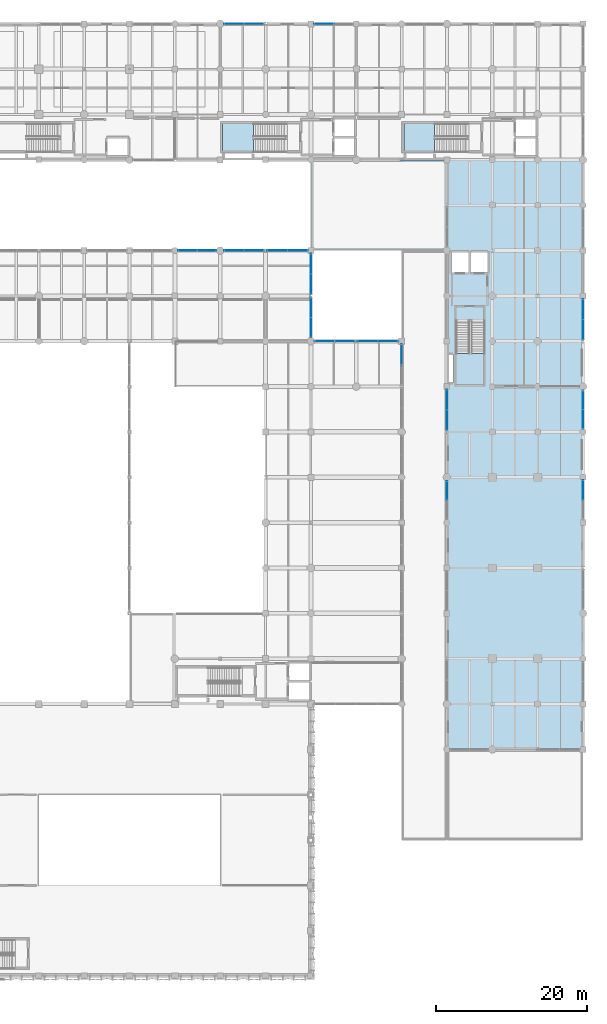
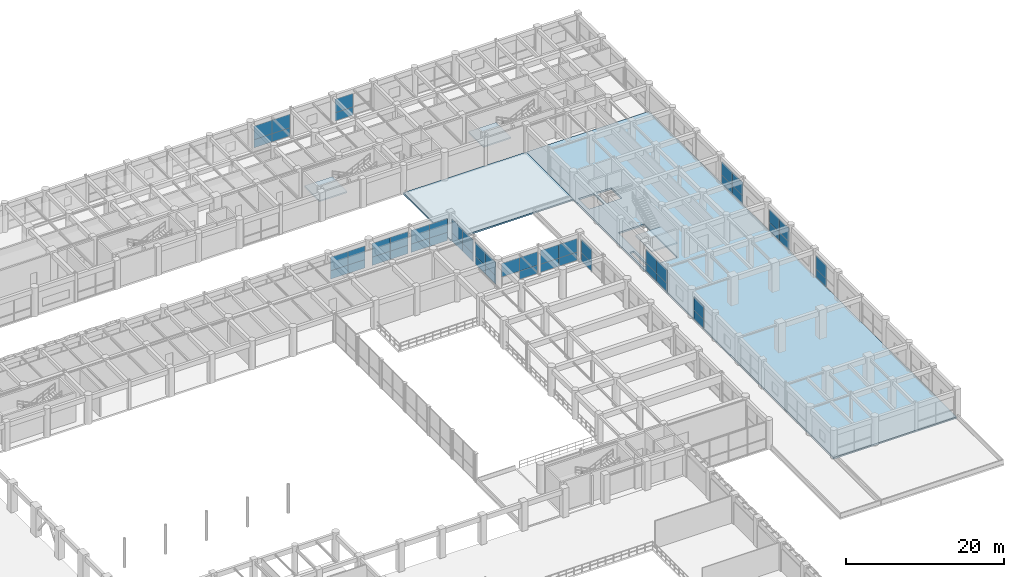
# One storey, part 93 of 133: 51 plates, 5 slabs, 18 elements without a shape of their own.
"""IFC4 building model written with IfcOpenShell, lengths in metres."""

import ifcopenshell
import ifcopenshell.guid

model = None  # the IFC model being written
_history = None  # IfcOwnerHistory: only IFC2X3 demands one
_inside = {}  # id of a spatial element -> (the spatial element, [elements in it])
_under = {}  # id of a project, library or spatial element -> (it, [spatial elements below it])
_declared = {}  # id of a project -> (the project, [libraries it declares])
_typed = {}  # id of a type object -> (the type object, [elements of that type])
_made_of = {}  # id of a material, layer set ... -> (it, [elements and type objects made of it])


def new_model(schema):
    """Start an empty IFC model of exactly this schema.

    Asked for "IFC4X3", IfcOpenShell would pick the latest addendum, in which some entities
    have other attributes; the version numbers below select the first issue.
    IFC2X3 requires an IfcOwnerHistory on every rooted entity: one is made here for all.
    """
    global model, _history
    if schema == "IFC4X3":
        model = ifcopenshell.file(schema_version=(4, 3, 0, 0))
    else:
        model = ifcopenshell.file(schema=schema)
    _inside.clear()
    _under.clear()
    _declared.clear()
    _typed.clear()
    _made_of.clear()
    _history = None
    if model.schema == "IFC2X3":
        org = make("IfcOrganization", Name="unknown")
        user = make(
            "IfcPersonAndOrganization",
            ThePerson=make("IfcPerson", FamilyName="unknown"),
            TheOrganization=org,
        )
        app = make(
            "IfcApplication",
            ApplicationDeveloper=org,
            Version="unknown",
            ApplicationFullName="unknown",
            ApplicationIdentifier="unknown",
        )
        _history = make(
            "IfcOwnerHistory",
            OwningUser=user,
            OwningApplication=app,
            ChangeAction="ADDED",
            CreationDate=0,
        )
    return model


def make(cls, **values):
    """One entity of the class cls with the attributes given. An attribute that is None is left unset."""
    return model.create_entity(
        cls, **{name: value for name, value in values.items() if value is not None}
    )


def rooted(cls, **values):
    """An entity with a GlobalId (a new one), such as an element, a storey or a relation."""
    return make(cls, GlobalId=ifcopenshell.guid.new(), OwnerHistory=_history, **values)


def si_unit(unit_type, name, prefix=None):
    """IfcSIUnit, for example si_unit("LENGTHUNIT", "METRE", prefix="MILLI")."""
    return make("IfcSIUnit", UnitType=unit_type, Prefix=prefix, Name=name)


def assignment(units):
    """IfcUnitAssignment: the units of a project."""
    return None if units is None else make("IfcUnitAssignment", Units=units)


def point(xyz):
    """IfcCartesianPoint."""
    return None if xyz is None else make("IfcCartesianPoint", Coordinates=xyz)


def direction(xyz):
    """IfcDirection."""
    return None if xyz is None else make("IfcDirection", DirectionRatios=xyz)


def frame(location, z_axis=None, x_axis=None):
    """IfcAxis2Placement3D, a coordinate frame: its origin and axes. An axis left out is left unset."""
    return make(
        "IfcAxis2Placement3D",
        Location=point(location),
        Axis=direction(z_axis),
        RefDirection=direction(x_axis),
    )


def frame_2d(location, x_axis=None):
    """IfcAxis2Placement2D, a coordinate frame in the plane: its origin and x axis."""
    return make(
        "IfcAxis2Placement2D", Location=point(location), RefDirection=direction(x_axis)
    )


def origin():
    """The frame at (0, 0, 0) with its axes left unset."""
    return frame((0.0, 0.0, 0.0))


def place(relative_to, where):
    """IfcLocalPlacement: puts the frame where relative to a parent placement (None: the world)."""
    return make(
        "IfcLocalPlacement", PlacementRelTo=relative_to, RelativePlacement=where
    )


def context(
    kind, dimensions, precision=None, world=None, true_north=None, identifier=None
):
    """IfcGeometricRepresentationContext, for example the 3D "Model" context."""
    return make(
        "IfcGeometricRepresentationContext",
        ContextIdentifier=identifier,
        ContextType=kind,
        CoordinateSpaceDimension=dimensions,
        Precision=precision,
        WorldCoordinateSystem=world,
        TrueNorth=true_north,
    )


def subcontext(parent, identifier, kind, view, scale=None):
    """IfcGeometricRepresentationSubContext, for example "Body" below "Model"."""
    return make(
        "IfcGeometricRepresentationSubContext",
        ContextIdentifier=identifier,
        ContextType=kind,
        ParentContext=parent,
        TargetScale=scale,
        TargetView=view,
    )


def project(units=None, contexts=None):
    """IfcProject with its units and contexts."""
    return rooted(
        "IfcProject",
        Name="project",
        RepresentationContexts=contexts,
        UnitsInContext=assignment(units),
    )


def spatial(cls, under=None, at=None, **own):
    """A site, building, storey or space (cls), placed at a placement, below another one or the project."""
    s = rooted(cls, ObjectPlacement=at, **own)
    if under is not None:
        _under.setdefault(under.id(), (under, []))[1].append(s)
    return s


def polyline(points):
    """IfcPolyline through the points."""
    return make("IfcPolyline", Points=[point(p) for p in points])


def profile(cls, at=None, kind="AREA", **sizes):
    """A parametric profile (cls). Its sizes go by their IFC names, for example OverallWidth=200.0."""
    return make(cls, ProfileType=kind, Position=at, **sizes)


def rectangle(**sizes):
    """IfcRectangleProfileDef."""
    return profile("IfcRectangleProfileDef", **sizes)


def outline(outer, holes=None, kind="AREA"):
    """IfcArbitraryClosedProfileDef: a profile drawn as a closed curve; with holes, ...WithVoids."""
    if holes is None:
        return make("IfcArbitraryClosedProfileDef", ProfileType=kind, OuterCurve=outer)
    return make(
        "IfcArbitraryProfileDefWithVoids",
        ProfileType=kind,
        OuterCurve=outer,
        InnerCurves=holes,
    )


def extrude(swept, where, along, depth):
    """IfcExtrudedAreaSolid: the profile swept, set in the frame where, extruded along a direction by depth."""
    return make(
        "IfcExtrudedAreaSolid",
        SweptArea=swept,
        Position=where,
        ExtrudedDirection=direction(along),
        Depth=depth,
    )


def shape(context_of_items, identifier, shape_type, items):
    """IfcShapeRepresentation: the items that make up one representation, for example the "Body"."""
    return make(
        "IfcShapeRepresentation",
        ContextOfItems=context_of_items,
        RepresentationIdentifier=identifier,
        RepresentationType=shape_type,
        Items=items,
    )


def material(Name=None, Category=None):
    """IfcMaterial."""
    return make("IfcMaterial", Name=Name, Category=Category)


def layer(
    of_material, thickness, ventilated=None, Name=None, Category=None, Priority=None
):
    """IfcMaterialLayer: one layer of a wall or slab, of a material (None: an air gap)."""
    return make(
        "IfcMaterialLayer",
        Material=of_material,
        LayerThickness=thickness,
        IsVentilated=ventilated,
        Name=Name,
        Category=Category,
        Priority=Priority,
    )


def layer_set(layers, Name=None):
    """IfcMaterialLayerSet."""
    return make("IfcMaterialLayerSet", MaterialLayers=layers, LayerSetName=Name)


def made_of(thing, what):
    """Note that an element or type object is made of a material, layer set ...; save() writes the relation."""
    if what is not None:
        _made_of.setdefault(what.id(), (what, []))[1].append(thing)
    return thing


def type_object(cls, material=None, **own):
    """A type object (cls), such as IfcWallType, which elements share."""
    return made_of(rooted(cls, **own), material)


def element(
    cls,
    number,
    at=None,
    inside=None,
    cuts=None,
    type_object=None,
    material=None,
    context=None,
    identifier="Body",
    shape_type=None,
    held_by="IfcProductDefinitionShape",
    body=None,
    shapes=None,
    **own,
):
    """One element of the class cls, such as IfcWall. Its Tag is "e" and its number.

    at: its placement. inside: the storey or other place that contains it. cuts: it is an
    opening in that element (IfcRelVoidsElement). A single representation is given by context,
    identifier, shape_type and body (its items); several are given by shapes. held_by: the class
    of the entity that holds the representations. save() writes the other relations.
    """
    e = rooted(cls, Tag="e%d" % number, ObjectPlacement=at, **own)
    if body is not None:
        shapes = [shape(context, identifier, shape_type, body)]
    if shapes is not None:
        e.Representation = make(held_by, Representations=shapes)
    if inside is not None:
        _inside.setdefault(inside.id(), (inside, []))[1].append(e)
    if cuts is not None:
        rooted(
            "IfcRelVoidsElement", RelatingBuildingElement=cuts, RelatedOpeningElement=e
        )
    if type_object is not None:
        _typed.setdefault(type_object.id(), (type_object, []))[1].append(e)
    return made_of(e, material)


def aggregate(whole, parts):
    """IfcRelAggregates: a whole, such as a stair, and the parts it consists of."""
    return rooted("IfcRelAggregates", RelatingObject=whole, RelatedObjects=parts)


def save(model, path):
    """Write the relations noted so far, then the file.

    IfcRelAggregates (storeys below a building ...), IfcRelContainedInSpatialStructure (elements
    in a storey), IfcRelDefinesByType, IfcRelAssociatesMaterial and IfcRelDeclares: one each for
    every whole, place, type object, material and project.
    """
    for whole, parts in _under.values():
        aggregate(whole, parts)
    for where, things in _inside.values():
        rooted(
            "IfcRelContainedInSpatialStructure",
            RelatedElements=things,
            RelatingStructure=where,
        )
    for kind, things in _typed.values():
        rooted("IfcRelDefinesByType", RelatedObjects=things, RelatingType=kind)
    for what, things in _made_of.values():
        rooted("IfcRelAssociatesMaterial", RelatedObjects=things, RelatingMaterial=what)
    for by, libraries in _declared.values():
        rooted("IfcRelDeclares", RelatingContext=by, RelatedDefinitions=libraries)
    model.write(path)


model = new_model("IFC4")

# Units and contexts
model_context = context("Model", 3, precision=1e-05, world=origin(), true_north=direction((0.0, 1.0)))
body_context = subcontext(model_context, "Body", "Model", "MODEL_VIEW")
ifc_project = project(units=[si_unit("LENGTHUNIT", "METRE"), si_unit("AREAUNIT", "SQUARE_METRE"), si_unit("VOLUMEUNIT", "CUBIC_METRE"), si_unit("PLANEANGLEUNIT", "RADIAN"), si_unit("MASSUNIT", "GRAM", prefix="KILO"), si_unit("THERMODYNAMICTEMPERATUREUNIT", "KELVIN"), si_unit("POWERUNIT", "WATT")], contexts=[model_context])

# Site, building, storey
site_placement = place(None, origin())
site = spatial("IfcSite", under=ifc_project, at=site_placement, CompositionType="ELEMENT")
building_placement = place(site_placement, origin())
building = spatial("IfcBuilding", under=site, at=building_placement, Name="Phaisarnlok Congress Hotel", CompositionType="ELEMENT")
storey_placement = place(building_placement, frame((0.0, 0.0, 6.0)))
storey = spatial("IfcBuildingStorey", under=building, at=storey_placement, Name="L01", CompositionType="ELEMENT", Elevation=6.0)

# Curtain wall, plates
ifc_material_1 = material(Name="Thermally Broken Unitised Aluminium & Low-E Glazing", Category="aluminium")
curtain_wall_type_1 = type_object("IfcCurtainWallType", Name="CW-UNIT-14", PredefinedType="NOTDEFINED", material=ifc_material_1)
curtain_wall_1_placement = place(storey_placement, origin())
curtain_wall_1 = element("IfcCurtainWall", 1, at=curtain_wall_1_placement, inside=storey, type_object=curtain_wall_type_1, Name="Unitised curtain wall CW-14 (L01)", PredefinedType="NOTDEFINED")
ifc_material_2 = material(Name="Triple Acoustic Solar-Control Glazing", Category="glass")
ifc_layer_1 = layer(ifc_material_2, 0.035888671875, Name="Triple Acoustic Solar-Control Glazing")
ifc_layer_set_1 = layer_set([ifc_layer_1], Name="Triple Acoustic Solar-Control Glazing")
plate_type = type_object("IfcPlateType", Name="CWP-GLZ-36", PredefinedType="CURTAIN_PANEL", material=ifc_layer_set_1)
plate_1_placement = place(storey_placement, frame((156.0, 80.914794921875, 0.0400390625), z_axis=(0.0, 0.0, 1.0), x_axis=(0.0, 1.0, 0.0)))
plate_1 = element("IfcPlate", 2, at=plate_1_placement, type_object=plate_type, Name="Glazed curtain panel CWP-02", PredefinedType="CURTAIN_PANEL", context=body_context, shape_type="SweptSolid", body=[
    extrude(rectangle(XDim=2.66015625, YDim=0.028076171875, at=frame_2d((1.330078125, 0.0))), origin(), (0.0, 0.0, 1.0), 1.278564453125),
])
plate_2_placement = place(storey_placement, frame((156.0, 80.914794921875, 1.318603515625), z_axis=(0.0, 0.0, 1.0), x_axis=(0.0, 1.0, 0.0)))
plate_2 = element("IfcPlate", 3, at=plate_2_placement, type_object=plate_type, Name="Glazed curtain panel CWP-02", PredefinedType="CURTAIN_PANEL", context=body_context, shape_type="SweptSolid", body=[
    extrude(rectangle(XDim=2.66015625, YDim=0.028076171875, at=frame_2d((1.330078125, 0.0))), origin(), (0.0, 0.0, 1.0), 2.111328125),
])
aggregate(curtain_wall_1, [plate_1, plate_2])

curtain_wall_2_placement = place(storey_placement, origin())
curtain_wall_2 = element("IfcCurtainWall", 4, at=curtain_wall_2_placement, inside=storey, type_object=curtain_wall_type_1, Name="Unitised curtain wall CW-14 (L01)", PredefinedType="NOTDEFINED")
plate_3_placement = place(storey_placement, frame((155.574951171875, 84.0, 0.0400390625), z_axis=(0.0, 0.0, 1.0), x_axis=(-1.0, 0.0, 0.0)))
plate_3 = element("IfcPlate", 5, at=plate_3_placement, type_object=plate_type, Name="Glazed curtain panel CWP-02", PredefinedType="CURTAIN_PANEL", context=body_context, shape_type="SweptSolid", body=[
    extrude(rectangle(XDim=2.65966796875, YDim=0.028076171875, at=frame_2d((1.329833984375, 0.0))), origin(), (0.0, 0.0, 1.0), 1.278564453125),
])
plate_4_placement = place(storey_placement, frame((155.574951171875, 84.0, 1.318603515625), z_axis=(0.0, 0.0, 1.0), x_axis=(-1.0, 0.0, 0.0)))
plate_4 = element("IfcPlate", 6, at=plate_4_placement, type_object=plate_type, Name="Glazed curtain panel CWP-02", PredefinedType="CURTAIN_PANEL", context=body_context, shape_type="SweptSolid", body=[
    extrude(rectangle(XDim=2.65966796875, YDim=0.028076171875, at=frame_2d((1.329833984375, 0.0))), origin(), (0.0, 0.0, 1.0), 2.111328125),
])
plate_5_placement = place(storey_placement, frame((152.88525390625, 84.0, 0.0400390625), z_axis=(0.0, 0.0, 1.0), x_axis=(-1.0, 0.0, 0.0)))
plate_5 = element("IfcPlate", 7, at=plate_5_placement, type_object=plate_type, Name="Glazed curtain panel CWP-02", PredefinedType="CURTAIN_PANEL", context=body_context, shape_type="SweptSolid", body=[
    extrude(rectangle(XDim=2.65966796875, YDim=0.028076171875, at=frame_2d((1.329833984375, 0.0))), origin(), (0.0, 0.0, 1.0), 1.278564453125),
])
plate_6_placement = place(storey_placement, frame((152.88525390625, 84.0, 1.318603515625), z_axis=(0.0, 0.0, 1.0), x_axis=(-1.0, 0.0, 0.0)))
plate_6 = element("IfcPlate", 8, at=plate_6_placement, type_object=plate_type, Name="Glazed curtain panel CWP-02", PredefinedType="CURTAIN_PANEL", context=body_context, shape_type="SweptSolid", body=[
    extrude(rectangle(XDim=2.65966796875, YDim=0.028076171875, at=frame_2d((1.329833984375, 0.0))), origin(), (0.0, 0.0, 1.0), 2.111328125),
])
aggregate(curtain_wall_2, [plate_3, plate_4, plate_5, plate_6])

curtain_wall_type_2 = type_object("IfcCurtainWallType", Name="CW-UNIT-13", PredefinedType="NOTDEFINED", material=ifc_material_1)
curtain_wall_3_placement = place(storey_placement, origin())
curtain_wall_3 = element("IfcCurtainWall", 9, at=curtain_wall_3_placement, inside=storey, type_object=curtain_wall_type_2, Name="Unitised curtain wall CW-13 (L01)", PredefinedType="NOTDEFINED")
plate_7_placement = place(storey_placement, frame((149.7744140625, 84.0, 0.0400390625), z_axis=(0.0, 0.0, 1.0), x_axis=(-1.0, 0.0, 0.0)))
plate_7 = element("IfcPlate", 10, at=plate_7_placement, type_object=plate_type, Name="Glazed curtain panel CWP-02", PredefinedType="CURTAIN_PANEL", context=body_context, shape_type="SweptSolid", body=[
    extrude(rectangle(XDim=2.609619140625, YDim=0.028076171875, at=frame_2d((1.3046875, 0.0))), origin(), (0.0, 0.0, 1.0), 1.278564453125),
])
plate_8_placement = place(storey_placement, frame((149.7744140625, 84.0, 1.318603515625), z_axis=(0.0, 0.0, 1.0), x_axis=(-1.0, 0.0, 0.0)))
plate_8 = element("IfcPlate", 11, at=plate_8_placement, type_object=plate_type, Name="Glazed curtain panel CWP-02", PredefinedType="CURTAIN_PANEL", context=body_context, shape_type="SweptSolid", body=[
    extrude(rectangle(XDim=2.609619140625, YDim=0.028076171875, at=frame_2d((1.3046875, 0.0))), origin(), (0.0, 0.0, 1.0), 2.111328125),
])
plate_9_placement = place(storey_placement, frame((147.134765625, 84.0, 1.318603515625), z_axis=(0.0, 0.0, 1.0), x_axis=(-1.0, 0.0, 0.0)))
plate_9 = element("IfcPlate", 12, at=plate_9_placement, type_object=plate_type, Name="Glazed curtain panel CWP-02", PredefinedType="CURTAIN_PANEL", context=body_context, shape_type="SweptSolid", body=[
    extrude(rectangle(XDim=2.60986328125, YDim=0.028076171875, at=frame_2d((1.304931640625, 0.0))), origin(), (0.0, 0.0, 1.0), 2.111328125),
])
aggregate(curtain_wall_3, [plate_7, plate_8, plate_9])

curtain_wall_type_3 = type_object("IfcCurtainWallType", Name="CW-UNIT-16", PredefinedType="NOTDEFINED", material=ifc_material_1)
curtain_wall_4_placement = place(storey_placement, origin())
curtain_wall_4 = element("IfcCurtainWall", 13, at=curtain_wall_4_placement, inside=storey, type_object=curtain_wall_type_3, Name="Unitised curtain wall CW-16 (L01)", PredefinedType="NOTDEFINED")
plate_10_placement = place(storey_placement, frame((144.0, 84.52490234375, 0.0400390625), z_axis=(0.0, 0.0, 1.0), x_axis=(0.0, 1.0, 0.0)))
plate_10 = element("IfcPlate", 14, at=plate_10_placement, type_object=plate_type, Name="Glazed curtain panel CWP-02", PredefinedType="CURTAIN_PANEL", context=body_context, shape_type="SweptSolid", body=[
    extrude(rectangle(XDim=2.6103515625, YDim=0.028076171875, at=frame_2d((1.30517578125, 0.0))), origin(), (0.0, 0.0, 1.0), 1.293701171875),
])
plate_11_placement = place(storey_placement, frame((144.0, 84.52490234375, 1.333740234375), z_axis=(0.0, 0.0, 1.0), x_axis=(0.0, 1.0, 0.0)))
plate_11 = element("IfcPlate", 15, at=plate_11_placement, type_object=plate_type, Name="Glazed curtain panel CWP-02", PredefinedType="CURTAIN_PANEL", context=body_context, shape_type="SweptSolid", body=[
    extrude(rectangle(XDim=2.6103515625, YDim=0.028076171875, at=frame_2d((1.30517578125, 0.0))), origin(), (0.0, 0.0, 1.0), 2.13623046875),
])
plate_12_placement = place(storey_placement, frame((144.0, 87.165283203125, 0.0400390625), z_axis=(0.0, 0.0, 1.0), x_axis=(0.0, 1.0, 0.0)))
plate_12 = element("IfcPlate", 16, at=plate_12_placement, type_object=plate_type, Name="Glazed curtain panel CWP-02", PredefinedType="CURTAIN_PANEL", context=body_context, shape_type="SweptSolid", body=[
    extrude(rectangle(XDim=2.610107421875, YDim=0.028076171875, at=frame_2d((1.30517578125, 0.0))), origin(), (0.0, 0.0, 1.0), 1.293701171875),
])
plate_13_placement = place(storey_placement, frame((144.0, 87.165283203125, 1.333740234375), z_axis=(0.0, 0.0, 1.0), x_axis=(0.0, 1.0, 0.0)))
plate_13 = element("IfcPlate", 17, at=plate_13_placement, type_object=plate_type, Name="Glazed curtain panel CWP-02", PredefinedType="CURTAIN_PANEL", context=body_context, shape_type="SweptSolid", body=[
    extrude(rectangle(XDim=2.610107421875, YDim=0.028076171875, at=frame_2d((1.30517578125, 0.0))), origin(), (0.0, 0.0, 1.0), 2.13623046875),
])
aggregate(curtain_wall_4, [plate_10, plate_11, plate_12, plate_13])

curtain_wall_type_4 = type_object("IfcCurtainWallType", Name="CW-UNIT-17", PredefinedType="NOTDEFINED", material=ifc_material_1)
curtain_wall_5_placement = place(storey_placement, origin())
curtain_wall_5 = element("IfcCurtainWall", 18, at=curtain_wall_5_placement, inside=storey, type_object=curtain_wall_type_4, Name="Unitised curtain wall CW-17 (L01)", PredefinedType="NOTDEFINED")
plate_14_placement = place(storey_placement, frame((144.0, 90.224609375, 0.0400390625), z_axis=(0.0, 0.0, 1.0), x_axis=(0.0, 1.0, 0.0)))
plate_14 = element("IfcPlate", 19, at=plate_14_placement, type_object=plate_type, Name="Glazed curtain panel CWP-02", PredefinedType="CURTAIN_PANEL", context=body_context, shape_type="SweptSolid", body=[
    extrude(rectangle(XDim=2.66015625, YDim=0.028076171875, at=frame_2d((1.330078125, 0.0))), origin(), (0.0, 0.0, 1.0), 1.293701171875),
])
plate_15_placement = place(storey_placement, frame((144.0, 90.224609375, 1.333740234375), z_axis=(0.0, 0.0, 1.0), x_axis=(0.0, 1.0, 0.0)))
plate_15 = element("IfcPlate", 20, at=plate_15_placement, type_object=plate_type, Name="Glazed curtain panel CWP-02", PredefinedType="CURTAIN_PANEL", context=body_context, shape_type="SweptSolid", body=[
    extrude(rectangle(XDim=2.66015625, YDim=0.028076171875, at=frame_2d((1.330078125, 0.0))), origin(), (0.0, 0.0, 1.0), 2.13623046875),
])
plate_16_placement = place(storey_placement, frame((144.0, 92.914794921875, 0.0400390625), z_axis=(0.0, 0.0, 1.0), x_axis=(0.0, 1.0, 0.0)))
plate_16 = element("IfcPlate", 21, at=plate_16_placement, type_object=plate_type, Name="Glazed curtain panel CWP-02", PredefinedType="CURTAIN_PANEL", context=body_context, shape_type="SweptSolid", body=[
    extrude(rectangle(XDim=2.66015625, YDim=0.028076171875, at=frame_2d((1.330078125, 0.0))), origin(), (0.0, 0.0, 1.0), 1.293701171875),
])
plate_17_placement = place(storey_placement, frame((144.0, 92.914794921875, 1.333740234375), z_axis=(0.0, 0.0, 1.0), x_axis=(0.0, 1.0, 0.0)))
plate_17 = element("IfcPlate", 22, at=plate_17_placement, type_object=plate_type, Name="Glazed curtain panel CWP-02", PredefinedType="CURTAIN_PANEL", context=body_context, shape_type="SweptSolid", body=[
    extrude(rectangle(XDim=2.66015625, YDim=0.028076171875, at=frame_2d((1.330078125, 0.0))), origin(), (0.0, 0.0, 1.0), 2.13623046875),
])
aggregate(curtain_wall_5, [plate_14, plate_15, plate_16, plate_17])

curtain_wall_6_placement = place(storey_placement, origin())
curtain_wall_6 = element("IfcCurtainWall", 23, at=curtain_wall_6_placement, inside=storey, type_object=curtain_wall_type_4, Name="Unitised curtain wall CW-17 (L01)", PredefinedType="NOTDEFINED")
plate_18_placement = place(storey_placement, frame((143.574951171875, 96.0, 0.0400390625), z_axis=(0.0, 0.0, 1.0), x_axis=(-1.0, 0.0, 0.0)))
plate_18 = element("IfcPlate", 24, at=plate_18_placement, type_object=plate_type, Name="Glazed curtain panel CWP-02", PredefinedType="CURTAIN_PANEL", context=body_context, shape_type="SweptSolid", body=[
    extrude(rectangle(XDim=2.65966796875, YDim=0.028076171875, at=frame_2d((1.329833984375, 0.0))), origin(), (0.0, 0.0, 1.0), 1.293701171875),
])
plate_19_placement = place(storey_placement, frame((143.574951171875, 96.0, 1.333740234375), z_axis=(0.0, 0.0, 1.0), x_axis=(-1.0, 0.0, 0.0)))
plate_19 = element("IfcPlate", 25, at=plate_19_placement, type_object=plate_type, Name="Glazed curtain panel CWP-02", PredefinedType="CURTAIN_PANEL", context=body_context, shape_type="SweptSolid", body=[
    extrude(rectangle(XDim=2.65966796875, YDim=0.028076171875, at=frame_2d((1.329833984375, 0.0))), origin(), (0.0, 0.0, 1.0), 2.13623046875),
])
plate_20_placement = place(storey_placement, frame((140.88525390625, 96.0, 0.0400390625), z_axis=(0.0, 0.0, 1.0), x_axis=(-1.0, 0.0, 0.0)))
plate_20 = element("IfcPlate", 26, at=plate_20_placement, type_object=plate_type, Name="Glazed curtain panel CWP-02", PredefinedType="CURTAIN_PANEL", context=body_context, shape_type="SweptSolid", body=[
    extrude(rectangle(XDim=2.65966796875, YDim=0.028076171875, at=frame_2d((1.329833984375, 0.0))), origin(), (0.0, 0.0, 1.0), 1.293701171875),
])
plate_21_placement = place(storey_placement, frame((140.88525390625, 96.0, 1.333740234375), z_axis=(0.0, 0.0, 1.0), x_axis=(-1.0, 0.0, 0.0)))
plate_21 = element("IfcPlate", 27, at=plate_21_placement, type_object=plate_type, Name="Glazed curtain panel CWP-02", PredefinedType="CURTAIN_PANEL", context=body_context, shape_type="SweptSolid", body=[
    extrude(rectangle(XDim=2.65966796875, YDim=0.028076171875, at=frame_2d((1.329833984375, 0.0))), origin(), (0.0, 0.0, 1.0), 2.13623046875),
])
aggregate(curtain_wall_6, [plate_18, plate_19, plate_20, plate_21])

curtain_wall_7_placement = place(storey_placement, origin())
curtain_wall_7 = element("IfcCurtainWall", 28, at=curtain_wall_7_placement, inside=storey, type_object=curtain_wall_type_3, Name="Unitised curtain wall CW-16 (L01)", PredefinedType="NOTDEFINED")
plate_22_placement = place(storey_placement, frame((137.7744140625, 96.0, 0.0400390625), z_axis=(0.0, 0.0, 1.0), x_axis=(-1.0, 0.0, 0.0)))
plate_22 = element("IfcPlate", 29, at=plate_22_placement, type_object=plate_type, Name="Glazed curtain panel CWP-02", PredefinedType="CURTAIN_PANEL", context=body_context, shape_type="SweptSolid", body=[
    extrude(rectangle(XDim=2.609619140625, YDim=0.028076171875, at=frame_2d((1.3046875, 0.0))), origin(), (0.0, 0.0, 1.0), 1.293701171875),
])
plate_23_placement = place(storey_placement, frame((137.7744140625, 96.0, 1.333740234375), z_axis=(0.0, 0.0, 1.0), x_axis=(-1.0, 0.0, 0.0)))
plate_23 = element("IfcPlate", 30, at=plate_23_placement, type_object=plate_type, Name="Glazed curtain panel CWP-02", PredefinedType="CURTAIN_PANEL", context=body_context, shape_type="SweptSolid", body=[
    extrude(rectangle(XDim=2.609619140625, YDim=0.028076171875, at=frame_2d((1.3046875, 0.0))), origin(), (0.0, 0.0, 1.0), 2.13623046875),
])
plate_24_placement = place(storey_placement, frame((135.134765625, 96.0, 0.0400390625), z_axis=(0.0, 0.0, 1.0), x_axis=(-1.0, 0.0, 0.0)))
plate_24 = element("IfcPlate", 31, at=plate_24_placement, type_object=plate_type, Name="Glazed curtain panel CWP-02", PredefinedType="CURTAIN_PANEL", context=body_context, shape_type="SweptSolid", body=[
    extrude(rectangle(XDim=2.60986328125, YDim=0.028076171875, at=frame_2d((1.304931640625, 0.0))), origin(), (0.0, 0.0, 1.0), 1.293701171875),
])
plate_25_placement = place(storey_placement, frame((135.134765625, 96.0, 1.333740234375), z_axis=(0.0, 0.0, 1.0), x_axis=(-1.0, 0.0, 0.0)))
plate_25 = element("IfcPlate", 32, at=plate_25_placement, type_object=plate_type, Name="Glazed curtain panel CWP-02", PredefinedType="CURTAIN_PANEL", context=body_context, shape_type="SweptSolid", body=[
    extrude(rectangle(XDim=2.60986328125, YDim=0.028076171875, at=frame_2d((1.304931640625, 0.0))), origin(), (0.0, 0.0, 1.0), 2.13623046875),
])
aggregate(curtain_wall_7, [plate_22, plate_23, plate_24, plate_25])

curtain_wall_type_5 = type_object("IfcCurtainWallType", Name="CW-UNIT-18", PredefinedType="NOTDEFINED", material=ifc_material_1)
curtain_wall_8_placement = place(storey_placement, origin())
curtain_wall_8 = element("IfcCurtainWall", 33, at=curtain_wall_8_placement, inside=storey, type_object=curtain_wall_type_5, Name="Unitised curtain wall CW-18 (L01)", PredefinedType="NOTDEFINED")
plate_26_placement = place(storey_placement, frame((131.47509765625, 96.0, 0.0400390625), z_axis=(0.0, 0.0, 1.0), x_axis=(-1.0, 0.0, 0.0)))
plate_26 = element("IfcPlate", 34, at=plate_26_placement, type_object=plate_type, Name="Glazed curtain panel CWP-02", PredefinedType="CURTAIN_PANEL", context=body_context, shape_type="SweptSolid", body=[
    extrude(rectangle(XDim=2.49755859375, YDim=0.028076171875, at=frame_2d((1.248779296875, 0.0))), origin(), (0.0, 0.0, 1.0), 1.293701171875),
])
plate_27_placement = place(storey_placement, frame((131.47509765625, 96.0, 1.333740234375), z_axis=(0.0, 0.0, 1.0), x_axis=(-1.0, 0.0, 0.0)))
plate_27 = element("IfcPlate", 35, at=plate_27_placement, type_object=plate_type, Name="Glazed curtain panel CWP-02", PredefinedType="CURTAIN_PANEL", context=body_context, shape_type="SweptSolid", body=[
    extrude(rectangle(XDim=2.49755859375, YDim=0.028076171875, at=frame_2d((1.248779296875, 0.0))), origin(), (0.0, 0.0, 1.0), 2.13623046875),
])
plate_28_placement = place(storey_placement, frame((128.947509765625, 96.0, 0.0400390625), z_axis=(0.0, 0.0, 1.0), x_axis=(-1.0, 0.0, 0.0)))
plate_28 = element("IfcPlate", 36, at=plate_28_placement, type_object=plate_type, Name="Glazed curtain panel CWP-02", PredefinedType="CURTAIN_PANEL", context=body_context, shape_type="SweptSolid", body=[
    extrude(rectangle(XDim=2.49755859375, YDim=0.028076171875, at=frame_2d((1.248779296875, 0.0))), origin(), (0.0, 0.0, 1.0), 1.293701171875),
])
plate_29_placement = place(storey_placement, frame((128.947509765625, 96.0, 1.333740234375), z_axis=(0.0, 0.0, 1.0), x_axis=(-1.0, 0.0, 0.0)))
plate_29 = element("IfcPlate", 37, at=plate_29_placement, type_object=plate_type, Name="Glazed curtain panel CWP-02", PredefinedType="CURTAIN_PANEL", context=body_context, shape_type="SweptSolid", body=[
    extrude(rectangle(XDim=2.49755859375, YDim=0.028076171875, at=frame_2d((1.248779296875, 0.0))), origin(), (0.0, 0.0, 1.0), 2.13623046875),
])
aggregate(curtain_wall_8, [plate_26, plate_27, plate_28, plate_29])

curtain_wall_9_placement = place(storey_placement, origin())
curtain_wall_9 = element("IfcCurtainWall", 38, at=curtain_wall_9_placement, inside=storey, type_object=curtain_wall_type_1, Name="Unitised curtain wall CW-14 (L01)", PredefinedType="NOTDEFINED")
plate_30_placement = place(storey_placement, frame((162.0, 77.574951171875, 0.0400390625), z_axis=(0.0, 0.0, 1.0), x_axis=(0.0, -1.0, 0.0)))
plate_30 = element("IfcPlate", 39, at=plate_30_placement, type_object=plate_type, Name="Glazed curtain panel CWP-02", PredefinedType="CURTAIN_PANEL", context=body_context, shape_type="SweptSolid", body=[
    extrude(rectangle(XDim=2.66015625, YDim=0.028076171875, at=frame_2d((1.330078125, 0.0))), origin(), (0.0, 0.0, 1.0), 1.278564453125),
])
plate_31_placement = place(storey_placement, frame((162.0, 77.574951171875, 1.318603515625), z_axis=(0.0, 0.0, 1.0), x_axis=(0.0, -1.0, 0.0)))
plate_31 = element("IfcPlate", 40, at=plate_31_placement, type_object=plate_type, Name="Glazed curtain panel CWP-02", PredefinedType="CURTAIN_PANEL", context=body_context, shape_type="SweptSolid", body=[
    extrude(rectangle(XDim=2.66015625, YDim=0.028076171875, at=frame_2d((1.330078125, 0.0))), origin(), (0.0, 0.0, 1.0), 2.111328125),
])
plate_32_placement = place(storey_placement, frame((162.0, 74.884765625, 0.0400390625), z_axis=(0.0, 0.0, 1.0), x_axis=(0.0, -1.0, 0.0)))
plate_32 = element("IfcPlate", 41, at=plate_32_placement, type_object=plate_type, Name="Glazed curtain panel CWP-02", PredefinedType="CURTAIN_PANEL", context=body_context, shape_type="SweptSolid", body=[
    extrude(rectangle(XDim=2.66015625, YDim=0.028076171875, at=frame_2d((1.330078125, 0.0))), origin(), (0.0, 0.0, 1.0), 1.278564453125),
])
plate_33_placement = place(storey_placement, frame((162.0, 74.884765625, 1.318603515625), z_axis=(0.0, 0.0, 1.0), x_axis=(0.0, -1.0, 0.0)))
plate_33 = element("IfcPlate", 42, at=plate_33_placement, type_object=plate_type, Name="Glazed curtain panel CWP-02", PredefinedType="CURTAIN_PANEL", context=body_context, shape_type="SweptSolid", body=[
    extrude(rectangle(XDim=2.66015625, YDim=0.028076171875, at=frame_2d((1.330078125, 0.0))), origin(), (0.0, 0.0, 1.0), 2.111328125),
])
aggregate(curtain_wall_9, [plate_30, plate_31, plate_32, plate_33])

curtain_wall_type_6 = type_object("IfcCurtainWallType", Name="CW-UNIT-12", PredefinedType="NOTDEFINED", material=ifc_material_1)
curtain_wall_10_placement = place(storey_placement, origin())
curtain_wall_10 = element("IfcCurtainWall", 43, at=curtain_wall_10_placement, inside=storey, type_object=curtain_wall_type_6, Name="Unitised curtain wall CW-12 (L01)", PredefinedType="NOTDEFINED")
plate_34_placement = place(storey_placement, frame((162.0, 65.47509765625, 0.0400390625), z_axis=(0.0, 0.0, 1.0), x_axis=(0.0, -1.0, 0.0)))
plate_34 = element("IfcPlate", 44, at=plate_34_placement, type_object=plate_type, Name="Glazed curtain panel CWP-02", PredefinedType="CURTAIN_PANEL", context=body_context, shape_type="SweptSolid", body=[
    extrude(rectangle(XDim=2.49755859375, YDim=0.028076171875, at=frame_2d((1.248779296875, 0.0))), origin(), (0.0, 0.0, 1.0), 1.278564453125),
])
plate_35_placement = place(storey_placement, frame((162.0, 65.47509765625, 1.318603515625), z_axis=(0.0, 0.0, 1.0), x_axis=(0.0, -1.0, 0.0)))
plate_35 = element("IfcPlate", 45, at=plate_35_placement, type_object=plate_type, Name="Glazed curtain panel CWP-02", PredefinedType="CURTAIN_PANEL", context=body_context, shape_type="SweptSolid", body=[
    extrude(rectangle(XDim=2.49755859375, YDim=0.028076171875, at=frame_2d((1.248779296875, 0.0))), origin(), (0.0, 0.0, 1.0), 2.111328125),
])
aggregate(curtain_wall_10, [plate_34, plate_35])

curtain_wall_type_7 = type_object("IfcCurtainWallType", Name="CW-UNIT-15", PredefinedType="NOTDEFINED", material=ifc_material_1)
curtain_wall_11_placement = place(storey_placement, origin())
curtain_wall_11 = element("IfcCurtainWall", 46, at=curtain_wall_11_placement, inside=storey, type_object=curtain_wall_type_7, Name="Unitised curtain wall CW-15 (L01)", PredefinedType="NOTDEFINED")
plate_36_placement = place(storey_placement, frame((180.0, 63.027587890625, 0.0400390625), z_axis=(0.0, 0.0, 1.0), x_axis=(0.0, 1.0, 0.0)))
plate_36 = element("IfcPlate", 47, at=plate_36_placement, type_object=plate_type, Name="Glazed curtain panel CWP-02", PredefinedType="CURTAIN_PANEL", context=body_context, shape_type="SweptSolid", body=[
    extrude(rectangle(XDim=2.572509765625, YDim=0.028076171875, at=frame_2d((1.2861328125, 0.0))), origin(), (0.0, 0.0, 1.0), 1.278564453125),
])
plate_37_placement = place(storey_placement, frame((180.0, 63.027587890625, 1.318603515625), z_axis=(0.0, 0.0, 1.0), x_axis=(0.0, 1.0, 0.0)))
plate_37 = element("IfcPlate", 48, at=plate_37_placement, type_object=plate_type, Name="Glazed curtain panel CWP-02", PredefinedType="CURTAIN_PANEL", context=body_context, shape_type="SweptSolid", body=[
    extrude(rectangle(XDim=2.572509765625, YDim=0.028076171875, at=frame_2d((1.2861328125, 0.0))), origin(), (0.0, 0.0, 1.0), 2.111328125),
])
aggregate(curtain_wall_11, [plate_36, plate_37])

curtain_wall_12_placement = place(storey_placement, origin())
curtain_wall_12 = element("IfcCurtainWall", 49, at=curtain_wall_12_placement, inside=storey, type_object=curtain_wall_type_6, Name="Unitised curtain wall CW-12 (L01)", PredefinedType="NOTDEFINED")
plate_38_placement = place(storey_placement, frame((180.0, 72.449951171875, 0.0400390625), z_axis=(0.0, 0.0, 1.0), x_axis=(0.0, 1.0, 0.0)))
plate_38 = element("IfcPlate", 50, at=plate_38_placement, type_object=plate_type, Name="Glazed curtain panel CWP-02", PredefinedType="CURTAIN_PANEL", context=body_context, shape_type="SweptSolid", body=[
    extrude(rectangle(XDim=2.49755859375, YDim=0.028076171875, at=frame_2d((1.248779296875, 0.0))), origin(), (0.0, 0.0, 1.0), 1.278564453125),
])
plate_39_placement = place(storey_placement, frame((180.0, 72.449951171875, 1.318603515625), z_axis=(0.0, 0.0, 1.0), x_axis=(0.0, 1.0, 0.0)))
plate_39 = element("IfcPlate", 51, at=plate_39_placement, type_object=plate_type, Name="Glazed curtain panel CWP-02", PredefinedType="CURTAIN_PANEL", context=body_context, shape_type="SweptSolid", body=[
    extrude(rectangle(XDim=2.49755859375, YDim=0.028076171875, at=frame_2d((1.248779296875, 0.0))), origin(), (0.0, 0.0, 1.0), 2.111328125),
])
plate_40_placement = place(storey_placement, frame((180.0, 74.9775390625, 0.0400390625), z_axis=(0.0, 0.0, 1.0), x_axis=(0.0, 1.0, 0.0)))
plate_40 = element("IfcPlate", 52, at=plate_40_placement, type_object=plate_type, Name="Glazed curtain panel CWP-02", PredefinedType="CURTAIN_PANEL", context=body_context, shape_type="SweptSolid", body=[
    extrude(rectangle(XDim=2.49755859375, YDim=0.028076171875, at=frame_2d((1.248779296875, 0.0))), origin(), (0.0, 0.0, 1.0), 1.278564453125),
])
plate_41_placement = place(storey_placement, frame((180.0, 74.9775390625, 1.318603515625), z_axis=(0.0, 0.0, 1.0), x_axis=(0.0, 1.0, 0.0)))
plate_41 = element("IfcPlate", 53, at=plate_41_placement, type_object=plate_type, Name="Glazed curtain panel CWP-02", PredefinedType="CURTAIN_PANEL", context=body_context, shape_type="SweptSolid", body=[
    extrude(rectangle(XDim=2.49755859375, YDim=0.028076171875, at=frame_2d((1.248779296875, 0.0))), origin(), (0.0, 0.0, 1.0), 2.111328125),
])
aggregate(curtain_wall_12, [plate_38, plate_39, plate_40, plate_41])

curtain_wall_13_placement = place(storey_placement, origin())
curtain_wall_13 = element("IfcCurtainWall", 54, at=curtain_wall_13_placement, inside=storey, type_object=curtain_wall_type_1, Name="Unitised curtain wall CW-14 (L01)", PredefinedType="NOTDEFINED")
plate_42_placement = place(storey_placement, frame((180.0, 84.224609375, 0.0400390625), z_axis=(0.0, 0.0, 1.0), x_axis=(0.0, 1.0, 0.0)))
plate_42 = element("IfcPlate", 55, at=plate_42_placement, type_object=plate_type, Name="Glazed curtain panel CWP-02", PredefinedType="CURTAIN_PANEL", context=body_context, shape_type="SweptSolid", body=[
    extrude(rectangle(XDim=2.66015625, YDim=0.028076171875, at=frame_2d((1.330078125, 0.0))), origin(), (0.0, 0.0, 1.0), 1.278564453125),
])
plate_43_placement = place(storey_placement, frame((180.0, 84.224609375, 1.318603515625), z_axis=(0.0, 0.0, 1.0), x_axis=(0.0, 1.0, 0.0)))
plate_43 = element("IfcPlate", 56, at=plate_43_placement, type_object=plate_type, Name="Glazed curtain panel CWP-02", PredefinedType="CURTAIN_PANEL", context=body_context, shape_type="SweptSolid", body=[
    extrude(rectangle(XDim=2.66015625, YDim=0.028076171875, at=frame_2d((1.330078125, 0.0))), origin(), (0.0, 0.0, 1.0), 2.111328125),
])
plate_44_placement = place(storey_placement, frame((180.0, 86.914794921875, 0.0400390625), z_axis=(0.0, 0.0, 1.0), x_axis=(0.0, 1.0, 0.0)))
plate_44 = element("IfcPlate", 57, at=plate_44_placement, type_object=plate_type, Name="Glazed curtain panel CWP-02", PredefinedType="CURTAIN_PANEL", context=body_context, shape_type="SweptSolid", body=[
    extrude(rectangle(XDim=2.66015625, YDim=0.028076171875, at=frame_2d((1.330078125, 0.0))), origin(), (0.0, 0.0, 1.0), 1.278564453125),
])
plate_45_placement = place(storey_placement, frame((180.0, 86.914794921875, 1.318603515625), z_axis=(0.0, 0.0, 1.0), x_axis=(0.0, 1.0, 0.0)))
plate_45 = element("IfcPlate", 58, at=plate_45_placement, type_object=plate_type, Name="Glazed curtain panel CWP-02", PredefinedType="CURTAIN_PANEL", context=body_context, shape_type="SweptSolid", body=[
    extrude(rectangle(XDim=2.66015625, YDim=0.028076171875, at=frame_2d((1.330078125, 0.0))), origin(), (0.0, 0.0, 1.0), 2.111328125),
])
aggregate(curtain_wall_13, [plate_42, plate_43, plate_44, plate_45])

curtain_wall_14_placement = place(storey_placement, origin())
curtain_wall_14 = element("IfcCurtainWall", 59, at=curtain_wall_14_placement, inside=storey, type_object=curtain_wall_type_7, Name="Unitised curtain wall CW-15 (L01)", PredefinedType="NOTDEFINED")
plate_46_placement = place(storey_placement, frame((146.99755859375, 126.0, 0.0400390625), z_axis=(0.0, 0.0, 1.0), x_axis=(-1.0, 0.0, 0.0)))
plate_46 = element("IfcPlate", 60, at=plate_46_placement, type_object=plate_type, Name="Glazed curtain panel CWP-02", PredefinedType="CURTAIN_PANEL", context=body_context, shape_type="SweptSolid", body=[
    extrude(rectangle(XDim=2.572509765625, YDim=0.028076171875, at=frame_2d((1.2861328125, 0.0))), origin(), (0.0, 0.0, 1.0), 1.278564453125),
])
plate_47_placement = place(storey_placement, frame((146.99755859375, 126.0, 1.318603515625), z_axis=(0.0, 0.0, 1.0), x_axis=(-1.0, 0.0, 0.0)))
plate_47 = element("IfcPlate", 61, at=plate_47_placement, type_object=plate_type, Name="Glazed curtain panel CWP-02", PredefinedType="CURTAIN_PANEL", context=body_context, shape_type="SweptSolid", body=[
    extrude(rectangle(XDim=2.572509765625, YDim=0.028076171875, at=frame_2d((1.2861328125, 0.0))), origin(), (0.0, 0.0, 1.0), 2.111328125),
])
aggregate(curtain_wall_14, [plate_46, plate_47])

curtain_wall_15_placement = place(storey_placement, origin())
curtain_wall_15 = element("IfcCurtainWall", 62, at=curtain_wall_15_placement, inside=storey, type_object=curtain_wall_type_2, Name="Unitised curtain wall CW-13 (L01)", PredefinedType="NOTDEFINED")
plate_48_placement = place(storey_placement, frame((137.7744140625, 126.0, 0.0400390625), z_axis=(0.0, 0.0, 1.0), x_axis=(-1.0, 0.0, 0.0)))
plate_48 = element("IfcPlate", 63, at=plate_48_placement, type_object=plate_type, Name="Glazed curtain panel CWP-02", PredefinedType="CURTAIN_PANEL", context=body_context, shape_type="SweptSolid", body=[
    extrude(rectangle(XDim=2.609619140625, YDim=0.028076171875, at=frame_2d((1.3046875, 0.0))), origin(), (0.0, 0.0, 1.0), 1.278564453125),
])
plate_49_placement = place(storey_placement, frame((137.7744140625, 126.0, 1.318603515625), z_axis=(0.0, 0.0, 1.0), x_axis=(-1.0, 0.0, 0.0)))
plate_49 = element("IfcPlate", 64, at=plate_49_placement, type_object=plate_type, Name="Glazed curtain panel CWP-02", PredefinedType="CURTAIN_PANEL", context=body_context, shape_type="SweptSolid", body=[
    extrude(rectangle(XDim=2.609619140625, YDim=0.028076171875, at=frame_2d((1.3046875, 0.0))), origin(), (0.0, 0.0, 1.0), 2.111328125),
])
plate_50_placement = place(storey_placement, frame((135.134765625, 126.0, 0.0400390625), z_axis=(0.0, 0.0, 1.0), x_axis=(-1.0, 0.0, 0.0)))
plate_50 = element("IfcPlate", 65, at=plate_50_placement, type_object=plate_type, Name="Glazed curtain panel CWP-02", PredefinedType="CURTAIN_PANEL", context=body_context, shape_type="SweptSolid", body=[
    extrude(rectangle(XDim=2.60986328125, YDim=0.028076171875, at=frame_2d((1.304931640625, 0.0))), origin(), (0.0, 0.0, 1.0), 1.278564453125),
])
plate_51_placement = place(storey_placement, frame((135.134765625, 126.0, 1.318603515625), z_axis=(0.0, 0.0, 1.0), x_axis=(-1.0, 0.0, 0.0)))
plate_51 = element("IfcPlate", 66, at=plate_51_placement, type_object=plate_type, Name="Glazed curtain panel CWP-02", PredefinedType="CURTAIN_PANEL", context=body_context, shape_type="SweptSolid", body=[
    extrude(rectangle(XDim=2.60986328125, YDim=0.028076171875, at=frame_2d((1.304931640625, 0.0))), origin(), (0.0, 0.0, 1.0), 2.111328125),
])
aggregate(curtain_wall_15, [plate_48, plate_49, plate_50, plate_51])

# Slab
ifc_material_3 = material(Name="Concrete C40/50", Category="concrete")
ifc_layer_2 = layer(ifc_material_3, 0.260009765625, Name="Concrete C40/50")
ifc_layer_set_2 = layer_set([ifc_layer_2], Name="Concrete C40/50")
slab_type_1 = type_object("IfcSlabType", Name="SLB-INT-260", PredefinedType="FLOOR", material=ifc_layer_set_2)
slab_1_placement = place(storey_placement, frame((0.0, 0.0, -0.260009765625)))
element("IfcSlab", 67, at=slab_1_placement, inside=storey, type_object=slab_type_1, Name="Floor slab SL-INT-260 (L01 v5_e)", PredefinedType="FLOOR", context=body_context, shape_type="SweptSolid", body=[
    extrude(outline(polyline([(180.0, 30.0), (180.0, 108.0), (162.0, 108.0), (162.0, 30.0), (180.0, 30.0)]), holes=[polyline([(163.199951171875, 86.719970703125), (163.199951171875, 78.300048828125), (167.0, 78.300048828125), (167.0, 86.719970703125), (163.199951171875, 86.719970703125)]), polyline([(164.85009765625, 93.10009765625), (164.85009765625, 95.75), (162.60009765625, 95.75), (162.60009765625, 93.10009765625), (164.85009765625, 93.10009765625)]), polyline([(167.39990234375, 93.10009765625), (167.39990234375, 95.75), (165.14990234375, 95.75), (165.14990234375, 93.10009765625), (167.39990234375, 93.10009765625)]), polyline([(162.85009765625, 78.60009765625), (162.85009765625, 82.199951171875), (162.25, 82.199951171875), (162.25, 78.60009765625), (162.85009765625, 78.60009765625)])]), origin(), (0.0, 0.0, 1.0), 0.260009765625),
])

# Stair, slab
stair_type = type_object("IfcStairType", Name="STR-DOG-03", PredefinedType="HALF_TURN_STAIR", material=ifc_material_3)
stair_1_placement = place(storey_placement, origin())
stair_1 = element("IfcStair", 68, at=stair_1_placement, inside=storey, type_object=stair_type, Name="L01 ST-05", PredefinedType="HALF_TURN_STAIR")
ifc_layer_3 = layer(ifc_material_3, 0.199951171875, Name="Concrete C40/50")
ifc_layer_set_3 = layer_set([ifc_layer_3], Name="Concrete C40/50")
slab_type_2 = type_object("IfcSlabType", Name="SLB-LND-200", PredefinedType="LANDING", material=ifc_layer_set_3)
slab_2_placement = place(storey_placement, frame((0.0, 0.0, 2.050048828125)))
slab_2 = element("IfcSlab", 69, at=slab_2_placement, type_object=slab_type_2, Name="ST-05 landing 1", PredefinedType="LANDING", context=body_context, shape_type="SweptSolid", body=[
    extrude(outline(polyline([(160.3798828125, 112.800048828125), (156.300048828125, 112.800048828125), (156.300048828125, 109.0), (160.3798828125, 109.0), (160.3798828125, 112.800048828125)])), origin(), (0.0, 0.0, 1.0), 0.199951171875),
])
aggregate(stair_1, [slab_2])

stair_2_placement = place(storey_placement, origin())
stair_2 = element("IfcStair", 70, at=stair_2_placement, inside=storey, type_object=stair_type, Name="L01 ST-06", PredefinedType="HALF_TURN_STAIR")
slab_3_placement = place(storey_placement, frame((0.0, 0.0, 2.050048828125)))
slab_3 = element("IfcSlab", 71, at=slab_3_placement, type_object=slab_type_2, Name="ST-06 landing 1", PredefinedType="LANDING", context=body_context, shape_type="SweptSolid", body=[
    extrude(outline(polyline([(136.3798828125, 112.800048828125), (132.300048828125, 112.800048828125), (132.300048828125, 109.0), (136.3798828125, 109.0), (136.3798828125, 112.800048828125)])), origin(), (0.0, 0.0, 1.0), 0.199951171875),
])
aggregate(stair_2, [slab_3])

stair_3_placement = place(storey_placement, origin())
stair_3 = element("IfcStair", 72, at=stair_3_placement, inside=storey, type_object=stair_type, Name="L01 ST-09", PredefinedType="HALF_TURN_STAIR")
slab_4_placement = place(storey_placement, frame((0.0, 0.0, 2.050048828125)))
slab_4 = element("IfcSlab", 73, at=slab_4_placement, type_object=slab_type_2, Name="ST-09 landing 1", PredefinedType="LANDING", context=body_context, shape_type="SweptSolid", body=[
    extrude(outline(polyline([(163.199951171875, 82.3798828125), (163.199951171875, 78.300048828125), (167.0, 78.300048828125), (167.0, 82.3798828125), (163.199951171875, 82.3798828125)])), origin(), (0.0, 0.0, 1.0), 0.199951171875),
])
aggregate(stair_3, [slab_4])

# Slab
ifc_layer_4 = layer(ifc_material_3, 0.239990234375, Name="Concrete C40/50")
ifc_layer_set_4 = layer_set([ifc_layer_4], Name="Concrete C40/50")
slab_type_3 = type_object("IfcSlabType", Name="SLB-ROOF-240", PredefinedType="ROOF", material=ifc_layer_set_4)
slab_5_placement = place(storey_placement, frame((0.0, 0.0, -0.239990234375)))
element("IfcSlab", 74, at=slab_5_placement, inside=storey, type_object=slab_type_3, Name="Podium setback roof slab SL-ROOF-240 (L01 pod_lobby_ne)", PredefinedType="ROOF", context=body_context, shape_type="SweptSolid", body=[
    extrude(outline(polyline([(144.0, 96.0), (162.0, 96.0), (162.0, 108.0), (144.0, 108.0), (144.0, 96.0)])), origin(), (0.0, 0.0, 1.0), 0.239990234375),
])

save(model, "model.ifc")
